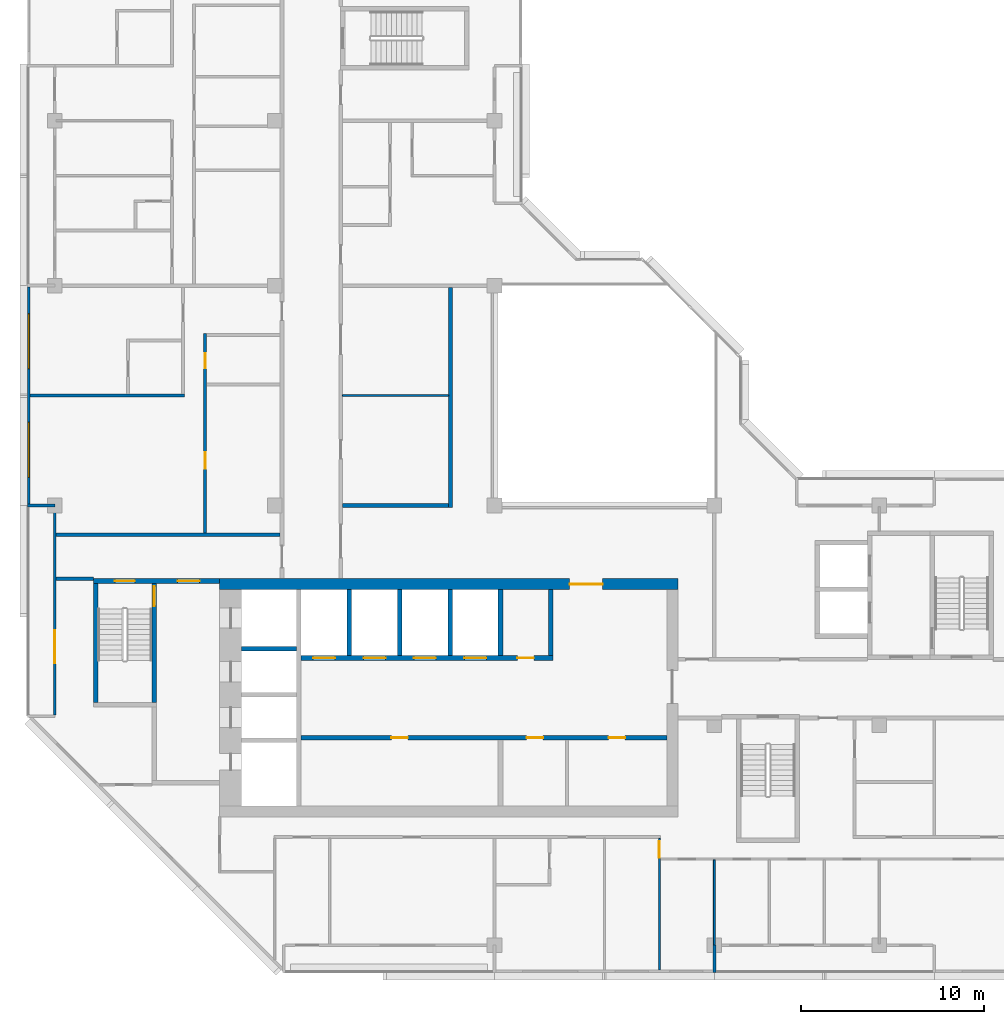
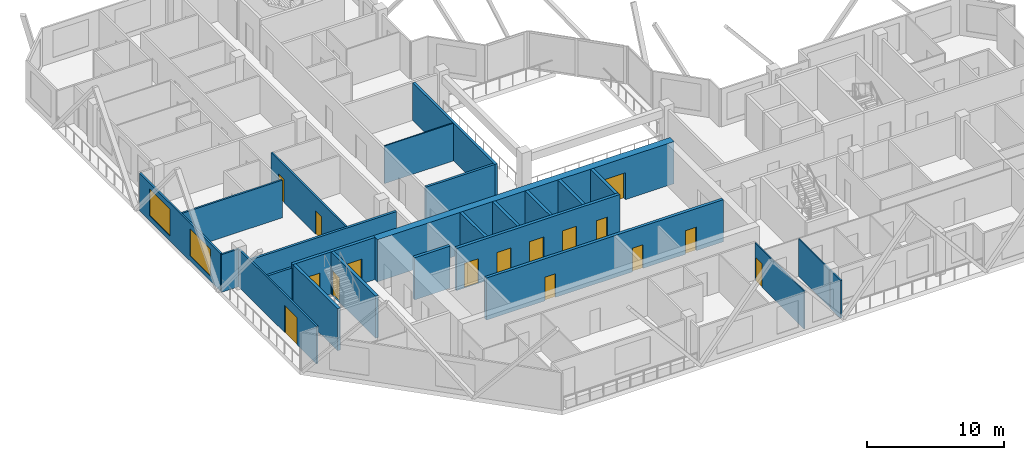
# One storey, part 5 of 13: 25 walls, 16 doors, 2 windows, 18 openings.
"""IFC4 building model written with IfcOpenShell, lengths in metres."""

from ifc_helpers import new_model, si_unit, direction, frame, frame_2d, origin, place, context, subcontext, project, spatial, rectangle, extrude, material, layer, layer_set, type_object, element, fill, save


model = new_model("IFC4")

# Units and contexts
model_context = context("Model", 3, precision=1e-05, world=origin(), true_north=direction((0.0, 1.0)))
body_context = subcontext(model_context, "Body", "Model", "MODEL_VIEW")
ifc_project = project(units=[si_unit("LENGTHUNIT", "METRE"), si_unit("AREAUNIT", "SQUARE_METRE"), si_unit("VOLUMEUNIT", "CUBIC_METRE"), si_unit("PLANEANGLEUNIT", "RADIAN"), si_unit("MASSUNIT", "GRAM", prefix="KILO")], contexts=[model_context])

# Site, building, storey
site_placement = place(None, origin())
site = spatial("IfcSite", under=ifc_project, at=site_placement, CompositionType="ELEMENT")
building_placement = place(site_placement, origin())
building = spatial("IfcBuilding", under=site, at=building_placement, Name="Chenar Terraces", CompositionType="ELEMENT")
storey_placement = place(building_placement, frame((0.0, 0.0, 295.89990234375)))
storey = spatial("IfcBuildingStorey", under=building, at=storey_placement, Name="L69", CompositionType="ELEMENT", Elevation=295.89990234375)

# Wall, openings, doors
ifc_material_1 = material(Name="Concrete C50/60", Category="concrete")
ifc_layer_1 = layer(ifc_material_1, 0.25)
ifc_layer_set_1 = layer_set([ifc_layer_1], Name="Concrete C50/60")
wall_type_1 = type_object("IfcWallType", Name="Core wall 250 Concrete C50/60", PredefinedType="SHEAR", material=ifc_layer_set_1)
wall_1_placement = place(storey_placement, frame((13.449951171875, 11.324951171875, 0.0), z_axis=(0.0, 0.0, 1.0), x_axis=(1.0, 0.0, 0.0)))
wall_1 = element("IfcWall", 1, at=wall_1_placement, inside=storey, type_object=wall_type_1, Name="Core wall SF L69", PredefinedType="SHEAR", context=body_context, shape_type="SweptSolid", body=[
    extrude(rectangle(XDim=19.949951171875, YDim=0.25, at=frame_2d((9.97509765625, 0.0))), origin(), (0.0, 0.0, 1.0), 3.75),
])
opening_1_placement = place(wall_1_placement, frame((4.925048828125, 0.0, 0.0)))
opening_1 = element("IfcOpeningElement", 2, at=opening_1_placement, cuts=wall_1, Name="Opening DL69-C12", PredefinedType="OPENING", context=body_context, shape_type="SweptSolid", body=[
    extrude(rectangle(XDim=0.89990234375, YDim=2.10009765625, at=frame_2d((0.449951171875, 1.050048828125))), frame((0.0, 0.135009765625, 0.0), z_axis=(0.0, -1.0, 0.0), x_axis=(1.0, 0.0, 0.0)), (0.0, 0.0, 1.0), 0.27001953125),
])
opening_2_placement = place(wall_1_placement, frame((12.300048828125, 0.0, 0.0)))
opening_2 = element("IfcOpeningElement", 3, at=opening_2_placement, cuts=wall_1, Name="Opening DL69-C13", PredefinedType="OPENING", context=body_context, shape_type="SweptSolid", body=[
    extrude(rectangle(XDim=0.89990234375, YDim=2.10009765625, at=frame_2d((0.449951171875, 1.050048828125))), frame((0.0, 0.135009765625, 0.0), z_axis=(0.0, -1.0, 0.0), x_axis=(1.0, 0.0, 0.0)), (0.0, 0.0, 1.0), 0.27001953125),
])
opening_3_placement = place(wall_1_placement, frame((16.77490234375, 0.0, 0.0)))
opening_3 = element("IfcOpeningElement", 4, at=opening_3_placement, cuts=wall_1, Name="Opening DL69-C14", PredefinedType="OPENING", context=body_context, shape_type="SweptSolid", body=[
    extrude(rectangle(XDim=0.89990234375, YDim=2.10009765625, at=frame_2d((0.449951171875, 1.050048828125))), frame((0.0, 0.135009765625, 0.0), z_axis=(0.0, -1.0, 0.0), x_axis=(1.0, 0.0, 0.0)), (0.0, 0.0, 1.0), 0.27001953125),
])
ifc_material_2 = material(Name="Steel-framed fire-resisting door leaf", Category="steel")
door_type_1 = type_object("IfcDoorType", Name="Riser fire door FD60 900 x 2100", OperationType="SINGLE_SWING_LEFT", PredefinedType="DOOR", material=ifc_material_2)
door_1_placement = place(opening_1_placement, frame((0.89990234375, 0.0, 0.0), z_axis=(0.0, 0.0, 1.0), x_axis=(-1.0, 0.0, 0.0)))
door_1 = element("IfcDoor", 5, at=door_1_placement, inside=storey, type_object=door_type_1, Name="Core room door DL69-C12", OperationType="SINGLE_SWING_RIGHT", OverallHeight=2.10009765625, OverallWidth=0.89990234375, PredefinedType="DOOR", context=body_context, shape_type="SweptSolid", body=[
    extrude(rectangle(XDim=0.89990234375, YDim=2.10009765625, at=frame_2d((0.449951171875, 1.050048828125))), frame((0.0, 0.02490234375, 0.0), z_axis=(0.0, -1.0, 0.0), x_axis=(1.0, 0.0, 0.0)), (0.0, 0.0, 1.0), 0.050048828125),
])
fill(opening_1, door_1)
door_2_placement = place(opening_2_placement, frame((0.89990234375, 0.0, 0.0), z_axis=(0.0, 0.0, 1.0), x_axis=(-1.0, 0.0, 0.0)))
door_2 = element("IfcDoor", 6, at=door_2_placement, inside=storey, type_object=door_type_1, Name="Core room door DL69-C13", OperationType="SINGLE_SWING_LEFT", OverallHeight=2.10009765625, OverallWidth=0.89990234375, PredefinedType="DOOR", context=body_context, shape_type="SweptSolid", body=[
    extrude(rectangle(XDim=0.89990234375, YDim=2.10009765625, at=frame_2d((0.449951171875, 1.050048828125))), frame((0.0, 0.02490234375, 0.0), z_axis=(0.0, -1.0, 0.0), x_axis=(1.0, 0.0, 0.0)), (0.0, 0.0, 1.0), 0.050048828125),
])
fill(opening_2, door_2)
door_3_placement = place(opening_3_placement, frame((0.89990234375, 0.0, 0.0), z_axis=(0.0, 0.0, 1.0), x_axis=(-1.0, 0.0, 0.0)))
door_3 = element("IfcDoor", 7, at=door_3_placement, inside=storey, type_object=door_type_1, Name="Core room door DL69-C14", OperationType="SINGLE_SWING_LEFT", OverallHeight=2.10009765625, OverallWidth=0.89990234375, PredefinedType="DOOR", context=body_context, shape_type="SweptSolid", body=[
    extrude(rectangle(XDim=0.89990234375, YDim=2.10009765625, at=frame_2d((0.449951171875, 1.050048828125))), frame((0.0, 0.02490234375, 0.0), z_axis=(0.0, -1.0, 0.0), x_axis=(1.0, 0.0, 0.0)), (0.0, 0.0, 1.0), 0.050048828125),
])
fill(opening_3, door_3)

wall_2_placement = place(storey_placement, frame((13.449951171875, 15.675048828125, 0.0), z_axis=(0.0, 0.0, 1.0), x_axis=(1.0, 0.0, 0.0)))
wall_2 = element("IfcWall", 8, at=wall_2_placement, inside=storey, type_object=wall_type_1, Name="Core wall NF L69", PredefinedType="SHEAR", context=body_context, shape_type="SweptSolid", body=[
    extrude(rectangle(XDim=13.75, YDim=0.25, at=frame_2d((6.875, 0.0))), origin(), (0.0, 0.0, 1.0), 3.75),
])
opening_4_placement = place(wall_2_placement, frame((0.64990234375, 0.0, 0.0)))
opening_4 = element("IfcOpeningElement", 9, at=opening_4_placement, cuts=wall_2, Name="Opening DL69-LD1", PredefinedType="OPENING", context=body_context, shape_type="SweptSolid", body=[
    extrude(rectangle(XDim=1.199951171875, YDim=2.199951171875, at=frame_2d((0.60009765625, 1.10009765625))), frame((0.0, 0.135009765625, 0.0), z_axis=(0.0, -1.0, 0.0), x_axis=(1.0, 0.0, 0.0)), (0.0, 0.0, 1.0), 0.27001953125),
])
opening_5_placement = place(wall_2_placement, frame((3.39990234375, 0.0, 0.0)))
opening_5 = element("IfcOpeningElement", 10, at=opening_5_placement, cuts=wall_2, Name="Opening DL69-LD2", PredefinedType="OPENING", context=body_context, shape_type="SweptSolid", body=[
    extrude(rectangle(XDim=1.199951171875, YDim=2.199951171875, at=frame_2d((0.60009765625, 1.10009765625))), frame((0.0, 0.135009765625, 0.0), z_axis=(0.0, -1.0, 0.0), x_axis=(1.0, 0.0, 0.0)), (0.0, 0.0, 1.0), 0.27001953125),
])
opening_6_placement = place(wall_2_placement, frame((6.14990234375, 0.0, 0.0)))
opening_6 = element("IfcOpeningElement", 11, at=opening_6_placement, cuts=wall_2, Name="Opening DL69-LD3", PredefinedType="OPENING", context=body_context, shape_type="SweptSolid", body=[
    extrude(rectangle(XDim=1.199951171875, YDim=2.199951171875, at=frame_2d((0.60009765625, 1.10009765625))), frame((0.0, 0.135009765625, 0.0), z_axis=(0.0, -1.0, 0.0), x_axis=(1.0, 0.0, 0.0)), (0.0, 0.0, 1.0), 0.27001953125),
])
opening_7_placement = place(wall_2_placement, frame((8.89990234375, 0.0, 0.0)))
opening_7 = element("IfcOpeningElement", 12, at=opening_7_placement, cuts=wall_2, Name="Opening DL69-LD4", PredefinedType="OPENING", context=body_context, shape_type="SweptSolid", body=[
    extrude(rectangle(XDim=1.199951171875, YDim=2.199951171875, at=frame_2d((0.60009765625, 1.10009765625))), frame((0.0, 0.135009765625, 0.0), z_axis=(0.0, -1.0, 0.0), x_axis=(1.0, 0.0, 0.0)), (0.0, 0.0, 1.0), 0.27001953125),
])
opening_8_placement = place(wall_2_placement, frame((11.800048828125, 0.0, 0.0)))
opening_8 = element("IfcOpeningElement", 13, at=opening_8_placement, cuts=wall_2, Name="Opening DL69-C15", PredefinedType="OPENING", context=body_context, shape_type="SweptSolid", body=[
    extrude(rectangle(XDim=0.89990234375, YDim=2.10009765625, at=frame_2d((0.449951171875, 1.050048828125))), frame((0.0, 0.135009765625, 0.0), z_axis=(0.0, -1.0, 0.0), x_axis=(1.0, 0.0, 0.0)), (0.0, 0.0, 1.0), 0.27001953125),
])
ifc_material_3 = material(Name="Stainless steel", Category="steel")
door_type_2 = type_object("IfcDoorType", Name="Lift landing door 1200 x 2200 sliding", OperationType="DOUBLE_DOOR_SLIDING", PredefinedType="DOOR", material=ifc_material_3)
door_4_placement = place(opening_4_placement, origin())
door_4 = element("IfcDoor", 14, at=door_4_placement, inside=storey, type_object=door_type_2, Name="Landing door H1", OperationType="DOUBLE_DOOR_SLIDING", OverallHeight=2.199951171875, OverallWidth=1.199951171875, PredefinedType="DOOR", context=body_context, shape_type="SweptSolid", body=[
    extrude(rectangle(XDim=1.199951171875, YDim=2.199951171875, at=frame_2d((0.60009765625, 1.10009765625))), frame((0.0, 0.02490234375, 0.0), z_axis=(0.0, -1.0, 0.0), x_axis=(1.0, 0.0, 0.0)), (0.0, 0.0, 1.0), 0.050048828125),
])
fill(opening_4, door_4)
door_5_placement = place(opening_5_placement, origin())
door_5 = element("IfcDoor", 15, at=door_5_placement, inside=storey, type_object=door_type_2, Name="Landing door H2", OperationType="DOUBLE_DOOR_SLIDING", OverallHeight=2.199951171875, OverallWidth=1.199951171875, PredefinedType="DOOR", context=body_context, shape_type="SweptSolid", body=[
    extrude(rectangle(XDim=1.199951171875, YDim=2.199951171875, at=frame_2d((0.60009765625, 1.10009765625))), frame((0.0, 0.02490234375, 0.0), z_axis=(0.0, -1.0, 0.0), x_axis=(1.0, 0.0, 0.0)), (0.0, 0.0, 1.0), 0.050048828125),
])
fill(opening_5, door_5)
door_6_placement = place(opening_6_placement, origin())
door_6 = element("IfcDoor", 16, at=door_6_placement, inside=storey, type_object=door_type_2, Name="Landing door H3", OperationType="DOUBLE_DOOR_SLIDING", OverallHeight=2.199951171875, OverallWidth=1.199951171875, PredefinedType="DOOR", context=body_context, shape_type="SweptSolid", body=[
    extrude(rectangle(XDim=1.199951171875, YDim=2.199951171875, at=frame_2d((0.60009765625, 1.10009765625))), frame((0.0, 0.02490234375, 0.0), z_axis=(0.0, -1.0, 0.0), x_axis=(1.0, 0.0, 0.0)), (0.0, 0.0, 1.0), 0.050048828125),
])
fill(opening_6, door_6)
door_7_placement = place(opening_7_placement, origin())
door_7 = element("IfcDoor", 17, at=door_7_placement, inside=storey, type_object=door_type_2, Name="Landing door H4", OperationType="DOUBLE_DOOR_SLIDING", OverallHeight=2.199951171875, OverallWidth=1.199951171875, PredefinedType="DOOR", context=body_context, shape_type="SweptSolid", body=[
    extrude(rectangle(XDim=1.199951171875, YDim=2.199951171875, at=frame_2d((0.60009765625, 1.10009765625))), frame((0.0, 0.02490234375, 0.0), z_axis=(0.0, -1.0, 0.0), x_axis=(1.0, 0.0, 0.0)), (0.0, 0.0, 1.0), 0.050048828125),
])
fill(opening_7, door_7)
door_8_placement = place(opening_8_placement, origin())
door_8 = element("IfcDoor", 18, at=door_8_placement, inside=storey, type_object=door_type_1, Name="Core room door DL69-C15", OperationType="SINGLE_SWING_RIGHT", OverallHeight=2.10009765625, OverallWidth=0.89990234375, PredefinedType="DOOR", context=body_context, shape_type="SweptSolid", body=[
    extrude(rectangle(XDim=0.89990234375, YDim=2.10009765625, at=frame_2d((0.449951171875, 1.050048828125))), frame((0.0, 0.02490234375, 0.0), z_axis=(0.0, -1.0, 0.0), x_axis=(1.0, 0.0, 0.0)), (0.0, 0.0, 1.0), 0.050048828125),
])
fill(opening_8, door_8)

# Walls
wall_3_placement = place(storey_placement, frame((10.199951171875, 16.175048828125, 0.0), z_axis=(0.0, 0.0, 1.0), x_axis=(1.0, 0.0, 0.0)))
element("IfcWall", 19, at=wall_3_placement, inside=storey, type_object=wall_type_1, Name="Core wall HW2 L69", PredefinedType="SHEAR", context=body_context, shape_type="SweptSolid", body=[
    extrude(rectangle(XDim=3.0, YDim=0.25, at=frame_2d((1.5, 0.0))), origin(), (0.0, 0.0, 1.0), 3.75),
])
for number, where, z_axis, x_axis, name in (
    (20, (16.074951171875, 15.800048828125, 0.0), (0.0, 0.0, 1.0), (0.0, 1.0, 0.0), "Core wall NS0 L69"),
    (21, (18.824951171875, 15.800048828125, 0.0), (0.0, 0.0, 1.0), (0.0, 1.0, 0.0), "Core wall NS1 L69"),
    (22, (21.574951171875, 15.800048828125, 0.0), (0.0, 0.0, 1.0), (0.0, 1.0, 0.0), "Core wall NS2 L69"),
    (23, (24.324951171875, 15.800048828125, 0.0), (0.0, 0.0, 1.0), (0.0, 1.0, 0.0), "Core wall NS3 L69"),
    (24, (27.074951171875, 15.800048828125, 0.0), (0.0, 0.0, 1.0), (0.0, 1.0, 0.0), "Core wall NE L69"),
):
    element("IfcWall", number, at=place(storey_placement, frame(where, z_axis=z_axis, x_axis=x_axis)), inside=storey, type_object=wall_type_1, Name=name, PredefinedType="SHEAR", context=body_context, shape_type="SweptSolid", body=[
        extrude(rectangle(XDim=3.599853515625, YDim=0.25, at=frame_2d((1.7998046875, 0.0))), origin(), (0.0, 0.0, 1.0), 3.75),
    ])

# Wall, openings, doors
wall_4_placement = place(storey_placement, frame((2.10009765625, 19.875, 0.0), z_axis=(0.0, 0.0, 1.0), x_axis=(1.0, 0.0, 0.0)))
wall_4 = element("IfcWall", 25, at=wall_4_placement, inside=storey, type_object=wall_type_1, Name="Core wall A_N L69", PredefinedType="SHEAR", context=body_context, shape_type="SweptSolid", body=[
    extrude(rectangle(XDim=6.89990234375, YDim=0.25, at=frame_2d((3.449951171875, 0.0))), origin(), (0.0, 0.0, 1.0), 3.75),
])
opening_9_placement = place(wall_4_placement, frame((1.175048828125, 0.0, 0.0)))
opening_9 = element("IfcOpeningElement", 26, at=opening_9_placement, cuts=wall_4, Name="Opening DL69-C5", PredefinedType="OPENING", context=body_context, shape_type="SweptSolid", body=[
    extrude(rectangle(XDim=1.10009765625, YDim=2.199951171875, at=frame_2d((0.550048828125, 1.10009765625))), frame((0.0, 0.135009765625, 0.0), z_axis=(0.0, -1.0, 0.0), x_axis=(1.0, 0.0, 0.0)), (0.0, 0.0, 1.0), 0.27001953125),
])
opening_10_placement = place(wall_4_placement, frame((4.60009765625, 0.0, 0.0)))
opening_10 = element("IfcOpeningElement", 27, at=opening_10_placement, cuts=wall_4, Name="Opening DL69-C6", PredefinedType="OPENING", context=body_context, shape_type="SweptSolid", body=[
    extrude(rectangle(XDim=1.199951171875, YDim=2.199951171875, at=frame_2d((0.60009765625, 1.10009765625))), frame((0.0, 0.135009765625, 0.0), z_axis=(0.0, -1.0, 0.0), x_axis=(1.0, 0.0, 0.0)), (0.0, 0.0, 1.0), 0.27001953125),
])
ifc_material_4 = material(Name="Steel-framed fire-resisting door leaf", Category="steel")
door_type_3 = type_object("IfcDoorType", Name="Lobby fire door FD60 1200 x 2200", OperationType="SINGLE_SWING_LEFT", PredefinedType="DOOR", material=ifc_material_4)
door_9_placement = place(opening_10_placement, frame((1.199951171875, 0.0, 0.0), z_axis=(0.0, 0.0, 1.0), x_axis=(-1.0, 0.0, 0.0)))
door_9 = element("IfcDoor", 28, at=door_9_placement, inside=storey, type_object=door_type_3, Name="Core door DL69-C6", OperationType="SINGLE_SWING_LEFT", OverallHeight=2.199951171875, OverallWidth=1.199951171875, PredefinedType="DOOR", context=body_context, shape_type="SweptSolid", body=[
    extrude(rectangle(XDim=1.199951171875, YDim=2.199951171875, at=frame_2d((0.60009765625, 1.10009765625))), frame((0.0, 0.02490234375, 0.0), z_axis=(0.0, -1.0, 0.0), x_axis=(1.0, 0.0, 0.0)), (0.0, 0.0, 1.0), 0.050048828125),
])
fill(opening_10, door_9)
ifc_material_5 = material(Name="Steel-framed fire-resisting door leaf", Category="steel")
door_type_4 = type_object("IfcDoorType", Name="Stair fire door FD60 1100 x 2200", OperationType="SINGLE_SWING_LEFT", PredefinedType="DOOR", material=ifc_material_5)
door_10_placement = place(opening_9_placement, origin())
door_10 = element("IfcDoor", 29, at=door_10_placement, inside=storey, type_object=door_type_4, Name="Stair door DL69-C5", OperationType="SINGLE_SWING_LEFT", OverallHeight=2.199951171875, OverallWidth=1.10009765625, PredefinedType="DOOR", context=body_context, shape_type="SweptSolid", body=[
    extrude(rectangle(XDim=1.10009765625, YDim=2.199951171875, at=frame_2d((0.550048828125, 1.10009765625))), frame((0.0, 0.02490234375, 0.0), z_axis=(0.0, -1.0, 0.0), x_axis=(1.0, 0.0, 0.0)), (0.0, 0.0, 1.0), 0.050048828125),
])
fill(opening_9, door_10)

# Wall
wall_5_placement = place(storey_placement, frame((2.22509765625, 13.25, 0.0), z_axis=(0.0, 0.0, 1.0), x_axis=(0.0, 1.0, 0.0)))
element("IfcWall", 30, at=wall_5_placement, inside=storey, type_object=wall_type_1, Name="Core wall ST1_W L69", PredefinedType="SHEAR", context=body_context, shape_type="SweptSolid", body=[
    extrude(rectangle(XDim=6.5, YDim=0.25, at=frame_2d((3.25, 0.0))), origin(), (0.0, 0.0, 1.0), 3.75),
])

# Wall, opening, door
wall_6_placement = place(storey_placement, frame((5.425048828125, 13.25, 0.0), z_axis=(0.0, 0.0, 1.0), x_axis=(0.0, 1.0, 0.0)))
wall_6 = element("IfcWall", 31, at=wall_6_placement, inside=storey, type_object=wall_type_1, Name="Core wall ST1_E L69", PredefinedType="SHEAR", context=body_context, shape_type="SweptSolid", body=[
    extrude(rectangle(XDim=6.5, YDim=0.25, at=frame_2d((3.25, 0.0))), origin(), (0.0, 0.0, 1.0), 3.75),
])
opening_11_placement = place(wall_6_placement, frame((5.25, 0.0, 0.0)))
opening_11 = element("IfcOpeningElement", 32, at=opening_11_placement, cuts=wall_6, Name="Opening DL69-C3", PredefinedType="OPENING", context=body_context, shape_type="SweptSolid", body=[
    extrude(rectangle(XDim=1.10009765625, YDim=2.199951171875, at=frame_2d((0.550048828125, 1.10009765625))), frame((0.0, 0.135009765625, 0.0), z_axis=(0.0, -1.0, 0.0), x_axis=(1.0, 0.0, 0.0)), (0.0, 0.0, 1.0), 0.27001953125),
])
door_11_placement = place(opening_11_placement, origin())
door_11 = element("IfcDoor", 33, at=door_11_placement, inside=storey, type_object=door_type_4, Name="Stair door DL69-C3", OperationType="SINGLE_SWING_RIGHT", OverallHeight=2.199951171875, OverallWidth=1.10009765625, PredefinedType="DOOR", context=body_context, shape_type="SweptSolid", body=[
    extrude(rectangle(XDim=1.10009765625, YDim=2.199951171875, at=frame_2d((0.550048828125, 1.10009765625))), frame((0.0, 0.02490234375, 0.0), z_axis=(0.0, -1.0, 0.0), x_axis=(1.0, 0.0, 0.0)), (0.0, 0.0, 1.0), 0.050048828125),
])
fill(opening_11, door_11)

ifc_material_6 = material(Name="Concrete C50/60", Category="concrete")
ifc_layer_2 = layer(ifc_material_6, 0.60009765625)
ifc_layer_set_2 = layer_set([ifc_layer_2], Name="Concrete C50/60")
wall_type_2 = type_object("IfcWallType", Name="Core wall 600 Concrete C50/60", PredefinedType="SHEAR", material=ifc_layer_set_2)
wall_7_placement = place(storey_placement, frame((9.0, 19.699951171875, 0.0), z_axis=(0.0, 0.0, 1.0), x_axis=(1.0, 0.0, 0.0)))
wall_7 = element("IfcWall", 34, at=wall_7_placement, inside=storey, type_object=wall_type_2, Name="Core wall N L69", PredefinedType="SHEAR", context=body_context, shape_type="SweptSolid", body=[
    extrude(rectangle(XDim=25.0, YDim=0.60009765625, at=frame_2d((12.5, 0.0))), origin(), (0.0, 0.0, 1.0), 3.75),
])
opening_12_placement = place(wall_7_placement, frame((19.10009765625, 0.0, 0.0)))
opening_12 = element("IfcOpeningElement", 35, at=opening_12_placement, cuts=wall_7, Name="Opening DL69-C2", PredefinedType="OPENING", context=body_context, shape_type="SweptSolid", body=[
    extrude(rectangle(XDim=1.800048828125, YDim=2.39990234375, at=frame_2d((0.89990234375, 1.199951171875))), frame((0.0, 0.31005859375, 0.0), z_axis=(0.0, -1.0, 0.0), x_axis=(1.0, 0.0, 0.0)), (0.0, 0.0, 1.0), 0.6201171875),
])
ifc_material_7 = material(Name="Steel-framed fire-resisting door leaf", Category="steel")
door_type_5 = type_object("IfcDoorType", Name="Core entrance double fire door FD60 1800 x 2400", OperationType="DOUBLE_DOOR_SINGLE_SWING", PredefinedType="DOOR", material=ifc_material_7)
door_12_placement = place(opening_12_placement, frame((1.800048828125, 0.0, 0.0), z_axis=(0.0, 0.0, 1.0), x_axis=(-1.0, 0.0, 0.0)))
door_12 = element("IfcDoor", 36, at=door_12_placement, inside=storey, type_object=door_type_5, Name="Core door DL69-C2", OperationType="DOUBLE_DOOR_SINGLE_SWING", OverallHeight=2.39990234375, OverallWidth=1.800048828125, PredefinedType="DOOR", context=body_context, shape_type="SweptSolid", body=[
    extrude(rectangle(XDim=1.800048828125, YDim=2.39990234375, at=frame_2d((0.89990234375, 1.199951171875))), frame((0.0, 0.02490234375, 0.0), z_axis=(0.0, -1.0, 0.0), x_axis=(1.0, 0.0, 0.0)), (0.0, 0.0, 1.0), 0.050048828125),
])
fill(opening_12, door_12)

# Walls
ifc_material_8 = material(Name="Gypsum board on steel studs with fire boards", Category="steel")
ifc_layer_3 = layer(ifc_material_8, 0.199951171875)
ifc_layer_set_3 = layer_set([ifc_layer_3], Name="Gypsum board on steel studs with fire boards")
wall_type_3 = type_object("IfcWallType", Name="Corridor wall 200", PredefinedType="PARTITIONING", material=ifc_layer_set_3)
wall_8_placement = place(storey_placement, frame((0.073974609375, 20.0, 0.0), z_axis=(0.0, 0.0, 1.0), x_axis=(1.0, 0.0, 0.0)))
element("IfcWall", 37, at=wall_8_placement, inside=storey, type_object=wall_type_3, Name="Partition L69-004", PredefinedType="PARTITIONING", context=body_context, shape_type="SweptSolid", body=[
    extrude(rectangle(XDim=2.026123046875, YDim=0.199951171875, at=frame_2d((1.01318359375, 0.0))), origin(), (0.0, 0.0, 1.0), 3.35009765625),
])
wall_9_placement = place(storey_placement, frame((0.073974609375, 22.39990234375, 0.0), z_axis=(0.0, 0.0, 1.0), x_axis=(1.0, 0.0, 0.0)))
element("IfcWall", 38, at=wall_9_placement, inside=storey, type_object=wall_type_3, Name="Partition L69-005", PredefinedType="PARTITIONING", context=body_context, shape_type="SweptSolid", body=[
    extrude(rectangle(XDim=12.22607421875, YDim=0.199951171875, at=frame_2d((6.113037109375, 0.0))), origin(), (0.0, 0.0, 1.0), 3.35009765625),
])
wall_10_placement = place(storey_placement, frame((15.699951171875, 24.0, 0.0), z_axis=(0.0, 0.0, 1.0), x_axis=(1.0, 0.0, 0.0)))
element("IfcWall", 39, at=wall_10_placement, inside=storey, type_object=wall_type_3, Name="Partition L69-035", PredefinedType="PARTITIONING", context=body_context, shape_type="SweptSolid", body=[
    extrude(rectangle(XDim=5.800048828125, YDim=0.199951171875, at=frame_2d((2.89990234375, 0.0))), origin(), (0.0, 0.0, 1.0), 3.35009765625),
])
wall_11_placement = place(storey_placement, frame((21.60009765625, 23.89990234375, 0.0), z_axis=(0.0, 0.0, 1.0), x_axis=(0.0, 1.0, 0.0)))
element("IfcWall", 40, at=wall_11_placement, inside=storey, type_object=wall_type_3, Name="Partition L69-044", PredefinedType="PARTITIONING", context=body_context, shape_type="SweptSolid", body=[
    extrude(rectangle(XDim=12.0, YDim=0.199951171875, at=frame_2d((6.0, 0.0))), origin(), (0.0, 0.0, 1.0), 3.35009765625),
])

# Wall, openings, windows
ifc_material_9 = material(Name="Aluminium framed glazing", Category="aluminium")
ifc_layer_4 = layer(ifc_material_9, 0.14990234375)
ifc_layer_set_4 = layer_set([ifc_layer_4], Name="Aluminium framed glazing")
wall_type_4 = type_object("IfcWallType", Name="Glazed flush facade wall 150", PredefinedType="SOLIDWALL", material=ifc_layer_set_4)
wall_12_placement = place(storey_placement, frame((-1.425048828125, 35.925048828125, 0.0), z_axis=(0.0, 0.0, 1.0), x_axis=(0.0, -1.0, 0.0)))
wall_12 = element("IfcWall", 41, at=wall_12_placement, inside=storey, type_object=wall_type_4, Name="Glazed flush facade wall", PredefinedType="SOLIDWALL", context=body_context, shape_type="SweptSolid", body=[
    extrude(rectangle(XDim=11.85009765625, YDim=0.14990234375, at=frame_2d((5.925048828125, 0.0))), origin(), (0.0, 0.0, 1.0), 3.35009765625),
])
opening_13_placement = place(wall_12_placement, frame((1.46240234375, 0.0, 0.449951171875)))
opening_13 = element("IfcOpeningElement", 42, at=opening_13_placement, cuts=wall_12, Name="Opening W300x240", PredefinedType="OPENING", context=body_context, shape_type="SweptSolid", body=[
    extrude(rectangle(XDim=3.0, YDim=2.39990234375, at=frame_2d((1.5, 1.199951171875))), frame((0.0, 0.0849609375, 0.0), z_axis=(0.0, -1.0, 0.0), x_axis=(1.0, 0.0, 0.0)), (0.0, 0.0, 1.0), 0.169921875),
])
opening_14_placement = place(wall_12_placement, frame((7.387451171875, 0.0, 0.449951171875)))
opening_14 = element("IfcOpeningElement", 43, at=opening_14_placement, cuts=wall_12, Name="Opening W300x240", PredefinedType="OPENING", context=body_context, shape_type="SweptSolid", body=[
    extrude(rectangle(XDim=3.0, YDim=2.39990234375, at=frame_2d((1.5, 1.199951171875))), frame((0.0, 0.0849609375, 0.0), z_axis=(0.0, -1.0, 0.0), x_axis=(1.0, 0.0, 0.0)), (0.0, 0.0, 1.0), 0.169921875),
])
ifc_material_10 = material(Name="Low emissivity double glazing, aluminium frame", Category="aluminium")
window_type = type_object("IfcWindowType", Name="Fixed light 3000 x 2400", PartitioningType="SINGLE_PANEL", PredefinedType="WINDOW", material=ifc_material_10)
window_1_placement = place(opening_13_placement, origin())
window_1 = element("IfcWindow", 44, at=window_1_placement, inside=storey, type_object=window_type, Name="Window", OverallHeight=2.39990234375, OverallWidth=3.0, PartitioningType="SINGLE_PANEL", PredefinedType="WINDOW", context=body_context, shape_type="SweptSolid", body=[
    extrude(rectangle(XDim=3.0, YDim=2.39990234375, at=frame_2d((1.5, 1.199951171875))), frame((0.0, 0.030029296875, 0.0), z_axis=(0.0, -1.0, 0.0), x_axis=(1.0, 0.0, 0.0)), (0.0, 0.0, 1.0), 0.06005859375),
])
fill(opening_13, window_1)
window_2_placement = place(opening_14_placement, origin())
window_2 = element("IfcWindow", 45, at=window_2_placement, inside=storey, type_object=window_type, Name="Window", OverallHeight=2.39990234375, OverallWidth=3.0, PartitioningType="SINGLE_PANEL", PredefinedType="WINDOW", context=body_context, shape_type="SweptSolid", body=[
    extrude(rectangle(XDim=3.0, YDim=2.39990234375, at=frame_2d((1.5, 1.199951171875))), frame((0.0, 0.030029296875, 0.0), z_axis=(0.0, -1.0, 0.0), x_axis=(1.0, 0.0, 0.0)), (0.0, 0.0, 1.0), 0.06005859375),
])
fill(opening_14, window_2)

# Wall, opening, door
ifc_material_11 = material(Name="Aluminium framed glazing", Category="aluminium")
ifc_layer_5 = layer(ifc_material_11, 0.14990234375)
ifc_layer_set_5 = layer_set([ifc_layer_5], Name="Aluminium framed glazing")
wall_type_5 = type_object("IfcWallType", Name="Glazed loggia back wall 150", PredefinedType="SOLIDWALL", material=ifc_layer_set_5)
wall_13_placement = place(storey_placement, frame((0.0, 23.925048828125, 0.0), z_axis=(0.0, 0.0, 1.0), x_axis=(0.0, -1.0, 0.0)))
wall_13 = element("IfcWall", 46, at=wall_13_placement, inside=storey, type_object=wall_type_5, Name="Glazed loggia back wall", PredefinedType="SOLIDWALL", context=body_context, shape_type="SweptSolid", body=[
    extrude(rectangle(XDim=11.35009765625, YDim=0.14990234375, at=frame_2d((5.675048828125, 0.0))), origin(), (0.0, 0.0, 1.0), 3.35009765625),
])
opening_15_placement = place(wall_13_placement, frame((6.737548828125, 0.0, 0.0)))
opening_15 = element("IfcOpeningElement", 47, at=opening_15_placement, cuts=wall_13, Name="Opening DL69-G3", PredefinedType="OPENING", context=body_context, shape_type="SweptSolid", body=[
    extrude(rectangle(XDim=1.800048828125, YDim=2.39990234375, at=frame_2d((0.89990234375, 1.199951171875))), frame((0.0, 0.0849609375, 0.0), z_axis=(0.0, -1.0, 0.0), x_axis=(1.0, 0.0, 0.0)), (0.0, 0.0, 1.0), 0.169921875),
])
ifc_material_12 = material(Name="Low emissivity double glazing, aluminium frame", Category="aluminium")
door_type_6 = type_object("IfcDoorType", Name="Loggia glazed double door 1800 x 2400", OperationType="DOUBLE_DOOR_SINGLE_SWING", PredefinedType="DOOR", material=ifc_material_12)
door_13_placement = place(opening_15_placement, frame((1.800048828125, 0.0, 0.0), z_axis=(0.0, 0.0, 1.0), x_axis=(-1.0, 0.0, 0.0)))
door_13 = element("IfcDoor", 48, at=door_13_placement, inside=storey, type_object=door_type_6, Name="Loggia glazed door", OperationType="DOUBLE_DOOR_SINGLE_SWING", OverallHeight=2.39990234375, OverallWidth=1.800048828125, PredefinedType="DOOR", context=body_context, shape_type="SweptSolid", body=[
    extrude(rectangle(XDim=1.800048828125, YDim=2.39990234375, at=frame_2d((0.89990234375, 1.199951171875))), frame((0.0, 0.02490234375, 0.0), z_axis=(0.0, -1.0, 0.0), x_axis=(1.0, 0.0, 0.0)), (0.0, 0.0, 1.0), 0.050048828125),
])
fill(opening_15, door_13)

# Wall
ifc_material_13 = material(Name="Gypsum board on steel studs", Category="steel")
ifc_layer_6 = layer(ifc_material_13, 0.10009765625)
ifc_layer_set_6 = layer_set([ifc_layer_6], Name="Gypsum board on steel studs")
wall_type_6 = type_object("IfcWallType", Name="Gypsum partition 100", PredefinedType="PARTITIONING", material=ifc_layer_set_6)
wall_14_placement = place(storey_placement, frame((15.699951171875, 30.0, 0.0), z_axis=(0.0, 0.0, 1.0), x_axis=(1.0, 0.0, 0.0)))
element("IfcWall", 49, at=wall_14_placement, inside=storey, type_object=wall_type_6, Name="Partition L69-036", PredefinedType="PARTITIONING", context=body_context, shape_type="SweptSolid", body=[
    extrude(rectangle(XDim=5.800048828125, YDim=0.10009765625, at=frame_2d((2.89990234375, 0.0))), origin(), (0.0, 0.0, 1.0), 3.35009765625),
])

# Wall, opening, door
wall_15_placement = place(storey_placement, frame((33.0, -1.35107421875, 0.0), z_axis=(0.0, 0.0, 1.0), x_axis=(0.0, 1.0, 0.0)))
wall_15 = element("IfcWall", 50, at=wall_15_placement, inside=storey, type_object=wall_type_6, Name="Partition L69-049", PredefinedType="PARTITIONING", context=body_context, shape_type="SweptSolid", body=[
    extrude(rectangle(XDim=7.176025390625, YDim=0.10009765625, at=frame_2d((3.587890625, 0.0))), origin(), (0.0, 0.0, 1.0), 3.35009765625),
])
opening_16_placement = place(wall_15_placement, frame((6.1259765625, 0.0, 0.0)))
opening_16 = element("IfcOpeningElement", 51, at=opening_16_placement, cuts=wall_15, Name="Opening DL69-34", PredefinedType="OPENING", context=body_context, shape_type="SweptSolid", body=[
    extrude(rectangle(XDim=0.89990234375, YDim=2.10009765625, at=frame_2d((0.449951171875, 1.050048828125))), frame((0.0, 0.06005859375, 0.0), z_axis=(0.0, -1.0, 0.0), x_axis=(1.0, 0.0, 0.0)), (0.0, 0.0, 1.0), 0.1201171875),
])
ifc_material_14 = material(Name="Veneered timber door leaf", Category="wood")
door_type_7 = type_object("IfcDoorType", Name="Door 900 x 2100", OperationType="SINGLE_SWING_LEFT", PredefinedType="DOOR", material=ifc_material_14)
door_14_placement = place(opening_16_placement, origin())
door_14 = element("IfcDoor", 52, at=door_14_placement, inside=storey, type_object=door_type_7, Name="Door DL69-34", OperationType="SINGLE_SWING_RIGHT", OverallHeight=2.10009765625, OverallWidth=0.89990234375, PredefinedType="DOOR", context=body_context, shape_type="SweptSolid", body=[
    extrude(rectangle(XDim=0.89990234375, YDim=2.10009765625, at=frame_2d((0.449951171875, 1.050048828125))), frame((0.0, 0.02490234375, 0.0), z_axis=(0.0, -1.0, 0.0), x_axis=(1.0, 0.0, 0.0)), (0.0, 0.0, 1.0), 0.050048828125),
])
fill(opening_16, door_14)

# Walls
wall_16_placement = place(storey_placement, frame((36.0, 0.0, 0.0), z_axis=(0.0, 0.0, 1.0), x_axis=(0.0, 1.0, 0.0)))
element("IfcWall", 53, at=wall_16_placement, inside=storey, type_object=wall_type_6, Name="Partition L69-053", PredefinedType="PARTITIONING", context=body_context, shape_type="SweptSolid", body=[
    extrude(rectangle(XDim=4.64990234375, YDim=0.10009765625, at=frame_2d((2.324951171875, 0.0))), origin(), (0.0, 0.0, 1.0), 3.35009765625),
])
ifc_material_15 = material(Name="Terracotta cladding on insulated backing", Category="masonry")
ifc_layer_7 = layer(ifc_material_15, 0.14990234375)
ifc_layer_set_7 = layer_set([ifc_layer_7], Name="Terracotta cladding on insulated backing")
wall_type_7 = type_object("IfcWallType", Name="Loggia return wall 150", PredefinedType="SOLIDWALL", material=ifc_layer_set_7)
for number, where, z_axis, x_axis, name in (
    (54, (-1.5, 24.0, 0.0), (0.0, 0.0, 1.0), (1.0, 0.0, 0.0), "Loggia return wall"),
    (55, (36.0, -1.5, 0.0), (0.0, 0.0, 1.0), (0.0, 1.0, 0.0), "Loggia return wall"),
):
    element("IfcWall", number, at=place(storey_placement, frame(where, z_axis=z_axis, x_axis=x_axis)), inside=storey, type_object=wall_type_7, Name=name, PredefinedType="SOLIDWALL", context=body_context, shape_type="SweptSolid", body=[
        extrude(rectangle(XDim=1.5, YDim=0.14990234375, at=frame_2d((0.75, 0.0))), origin(), (0.0, 0.0, 1.0), 3.35009765625),
    ])
ifc_material_16 = material(Name="Moisture-resistant gypsum board on steel studs", Category="steel")
ifc_layer_8 = layer(ifc_material_16, 0.14990234375)
ifc_layer_set_8 = layer_set([ifc_layer_8], Name="Moisture-resistant gypsum board on steel studs")
wall_type_8 = type_object("IfcWallType", Name="Wet-room partition 150", PredefinedType="PARTITIONING", material=ifc_layer_set_8)
wall_17_placement = place(storey_placement, frame((-1.35009765625, 30.0, 0.0), z_axis=(0.0, 0.0, 1.0), x_axis=(1.0, 0.0, 0.0)))
element("IfcWall", 56, at=wall_17_placement, inside=storey, type_object=wall_type_8, Name="Partition L69-001", PredefinedType="PARTITIONING", context=body_context, shape_type="SweptSolid", body=[
    extrude(rectangle(XDim=8.425048828125, YDim=0.14990234375, at=frame_2d((4.21240234375, 0.0))), origin(), (0.0, 0.0, 1.0), 3.35009765625),
])

# Wall, openings, doors
wall_18_placement = place(storey_placement, frame((8.199951171875, 22.5, 0.0), z_axis=(0.0, 0.0, 1.0), x_axis=(0.0, 1.0, 0.0)))
wall_18 = element("IfcWall", 57, at=wall_18_placement, inside=storey, type_object=wall_type_8, Name="Partition L69-024", PredefinedType="PARTITIONING", context=body_context, shape_type="SweptSolid", body=[
    extrude(rectangle(XDim=10.875, YDim=0.14990234375, at=frame_2d((5.4375, 0.0))), origin(), (0.0, 0.0, 1.0), 3.35009765625),
])
opening_17_placement = place(wall_18_placement, frame((9.0, 0.0, 0.0)))
opening_17 = element("IfcOpeningElement", 58, at=opening_17_placement, cuts=wall_18, Name="Opening DL69-48", PredefinedType="OPENING", context=body_context, shape_type="SweptSolid", body=[
    extrude(rectangle(XDim=0.800048828125, YDim=2.10009765625, at=frame_2d((0.39990234375, 1.050048828125))), frame((0.0, 0.0849609375, 0.0), z_axis=(0.0, -1.0, 0.0), x_axis=(1.0, 0.0, 0.0)), (0.0, 0.0, 1.0), 0.169921875),
])
opening_18_placement = place(wall_18_placement, frame((3.5, 0.0, 0.0)))
opening_18 = element("IfcOpeningElement", 59, at=opening_18_placement, cuts=wall_18, Name="Opening DL69-51", PredefinedType="OPENING", context=body_context, shape_type="SweptSolid", body=[
    extrude(rectangle(XDim=0.89990234375, YDim=2.10009765625, at=frame_2d((0.449951171875, 1.050048828125))), frame((0.0, 0.0849609375, 0.0), z_axis=(0.0, -1.0, 0.0), x_axis=(1.0, 0.0, 0.0)), (0.0, 0.0, 1.0), 0.169921875),
])
ifc_material_17 = material(Name="Veneered timber door leaf", Category="wood")
door_type_8 = type_object("IfcDoorType", Name="Door 800 x 2100", OperationType="SINGLE_SWING_LEFT", PredefinedType="DOOR", material=ifc_material_17)
door_15_placement = place(opening_17_placement, frame((0.800048828125, 0.0, 0.0), z_axis=(0.0, 0.0, 1.0), x_axis=(-1.0, 0.0, 0.0)))
door_15 = element("IfcDoor", 60, at=door_15_placement, inside=storey, type_object=door_type_8, Name="Door DL69-48", OperationType="SINGLE_SWING_RIGHT", OverallHeight=2.10009765625, OverallWidth=0.800048828125, PredefinedType="DOOR", context=body_context, shape_type="SweptSolid", body=[
    extrude(rectangle(XDim=0.800048828125, YDim=2.10009765625, at=frame_2d((0.39990234375, 1.050048828125))), frame((0.0, 0.02490234375, 0.0), z_axis=(0.0, -1.0, 0.0), x_axis=(1.0, 0.0, 0.0)), (0.0, 0.0, 1.0), 0.050048828125),
])
fill(opening_17, door_15)
door_16_placement = place(opening_18_placement, frame((0.89990234375, 0.0, 0.0), z_axis=(0.0, 0.0, 1.0), x_axis=(-1.0, 0.0, 0.0)))
door_16 = element("IfcDoor", 61, at=door_16_placement, inside=storey, type_object=door_type_7, Name="Door DL69-51", OperationType="SINGLE_SWING_RIGHT", OverallHeight=2.10009765625, OverallWidth=0.89990234375, PredefinedType="DOOR", context=body_context, shape_type="SweptSolid", body=[
    extrude(rectangle(XDim=0.89990234375, YDim=2.10009765625, at=frame_2d((0.449951171875, 1.050048828125))), frame((0.0, 0.02490234375, 0.0), z_axis=(0.0, -1.0, 0.0), x_axis=(1.0, 0.0, 0.0)), (0.0, 0.0, 1.0), 0.050048828125),
])
fill(opening_18, door_16)

save(model, "model.ifc")
